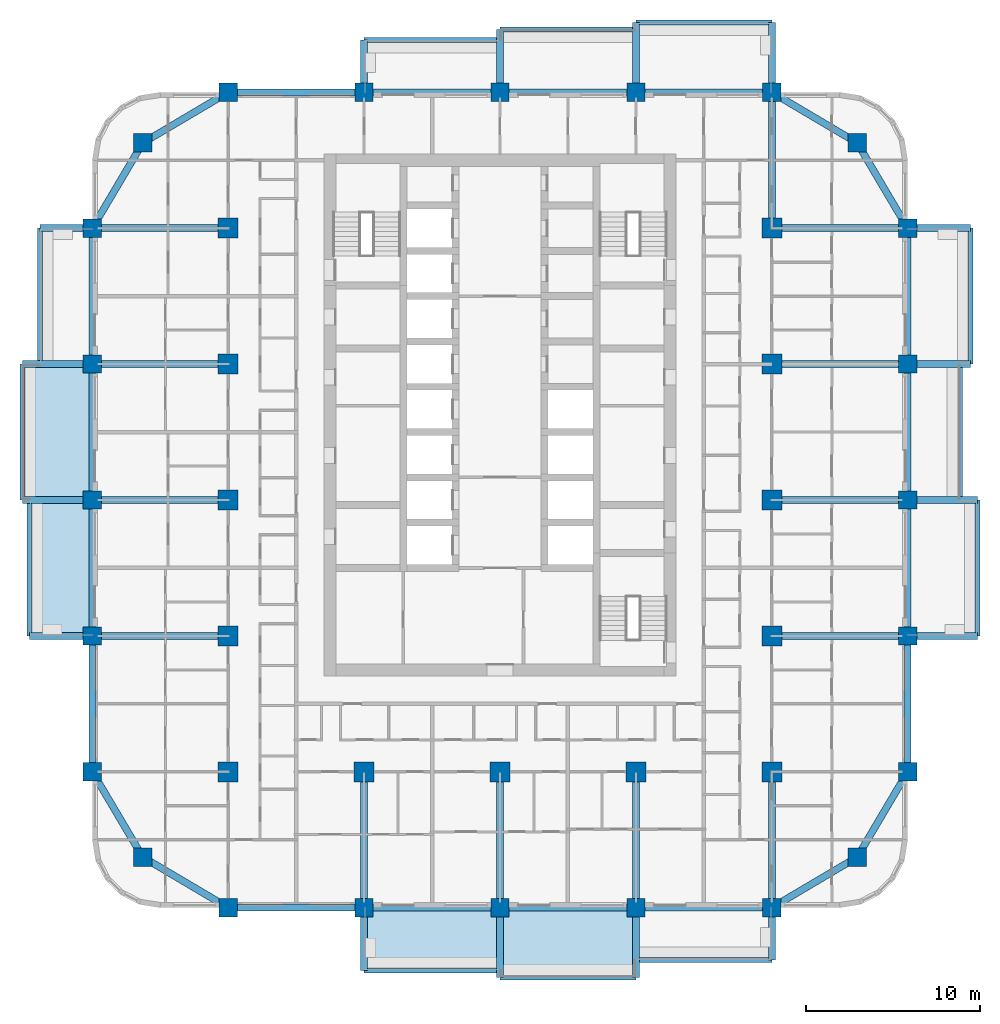
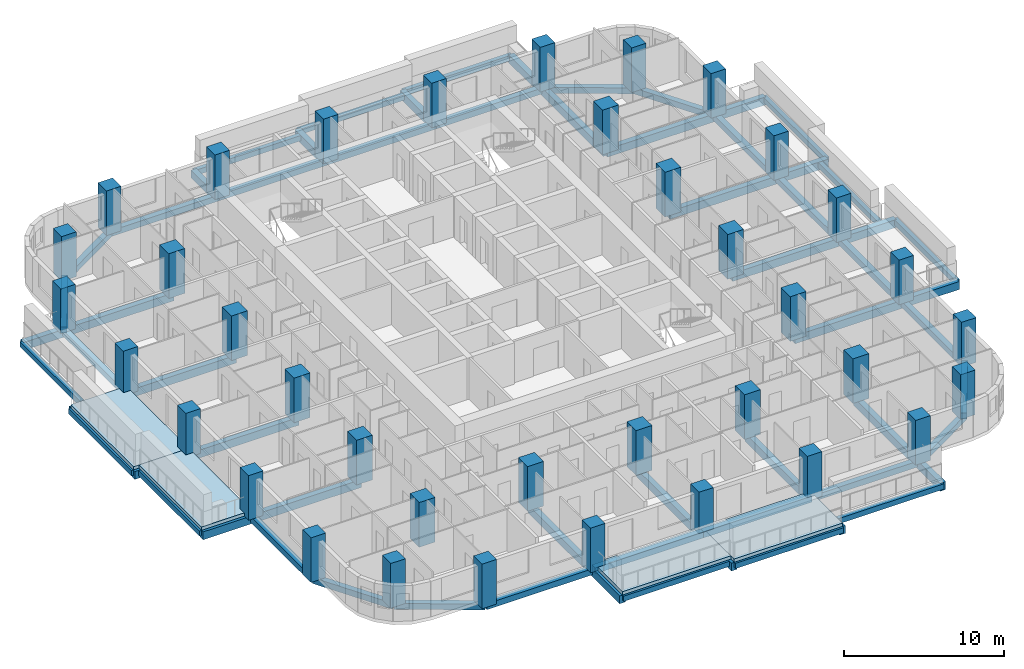
# One storey, part 1 of 17: 65 beams, 37 columns, 4 slabs.
"""IFC4 building model written with IfcOpenShell, lengths in metres."""

import ifcopenshell
import ifcopenshell.guid

model = None  # the IFC model being written
_history = None  # IfcOwnerHistory: only IFC2X3 demands one
_inside = {}  # id of a spatial element -> (the spatial element, [elements in it])
_under = {}  # id of a project, library or spatial element -> (it, [spatial elements below it])
_declared = {}  # id of a project -> (the project, [libraries it declares])
_typed = {}  # id of a type object -> (the type object, [elements of that type])
_made_of = {}  # id of a material, layer set ... -> (it, [elements and type objects made of it])


def new_model(schema):
    """Start an empty IFC model of exactly this schema.

    Asked for "IFC4X3", IfcOpenShell would pick the latest addendum, in which some entities
    have other attributes; the version numbers below select the first issue.
    IFC2X3 requires an IfcOwnerHistory on every rooted entity: one is made here for all.
    """
    global model, _history
    if schema == "IFC4X3":
        model = ifcopenshell.file(schema_version=(4, 3, 0, 0))
    else:
        model = ifcopenshell.file(schema=schema)
    _inside.clear()
    _under.clear()
    _declared.clear()
    _typed.clear()
    _made_of.clear()
    _history = None
    if model.schema == "IFC2X3":
        org = make("IfcOrganization", Name="unknown")
        user = make(
            "IfcPersonAndOrganization",
            ThePerson=make("IfcPerson", FamilyName="unknown"),
            TheOrganization=org,
        )
        app = make(
            "IfcApplication",
            ApplicationDeveloper=org,
            Version="unknown",
            ApplicationFullName="unknown",
            ApplicationIdentifier="unknown",
        )
        _history = make(
            "IfcOwnerHistory",
            OwningUser=user,
            OwningApplication=app,
            ChangeAction="ADDED",
            CreationDate=0,
        )
    return model


def make(cls, **values):
    """One entity of the class cls with the attributes given. An attribute that is None is left unset."""
    return model.create_entity(
        cls, **{name: value for name, value in values.items() if value is not None}
    )


def rooted(cls, **values):
    """An entity with a GlobalId (a new one), such as an element, a storey or a relation."""
    return make(cls, GlobalId=ifcopenshell.guid.new(), OwnerHistory=_history, **values)


def si_unit(unit_type, name, prefix=None):
    """IfcSIUnit, for example si_unit("LENGTHUNIT", "METRE", prefix="MILLI")."""
    return make("IfcSIUnit", UnitType=unit_type, Prefix=prefix, Name=name)


def assignment(units):
    """IfcUnitAssignment: the units of a project."""
    return None if units is None else make("IfcUnitAssignment", Units=units)


def point(xyz):
    """IfcCartesianPoint."""
    return None if xyz is None else make("IfcCartesianPoint", Coordinates=xyz)


def direction(xyz):
    """IfcDirection."""
    return None if xyz is None else make("IfcDirection", DirectionRatios=xyz)


def frame(location, z_axis=None, x_axis=None):
    """IfcAxis2Placement3D, a coordinate frame: its origin and axes. An axis left out is left unset."""
    return make(
        "IfcAxis2Placement3D",
        Location=point(location),
        Axis=direction(z_axis),
        RefDirection=direction(x_axis),
    )


def frame_2d(location, x_axis=None):
    """IfcAxis2Placement2D, a coordinate frame in the plane: its origin and x axis."""
    return make(
        "IfcAxis2Placement2D", Location=point(location), RefDirection=direction(x_axis)
    )


def origin():
    """The frame at (0, 0, 0) with its axes left unset."""
    return frame((0.0, 0.0, 0.0))


def origin_2d():
    """The frame at (0, 0) in the plane with its x axis left unset."""
    return frame_2d((0.0, 0.0))


def place(relative_to, where):
    """IfcLocalPlacement: puts the frame where relative to a parent placement (None: the world)."""
    return make(
        "IfcLocalPlacement", PlacementRelTo=relative_to, RelativePlacement=where
    )


def context(
    kind, dimensions, precision=None, world=None, true_north=None, identifier=None
):
    """IfcGeometricRepresentationContext, for example the 3D "Model" context."""
    return make(
        "IfcGeometricRepresentationContext",
        ContextIdentifier=identifier,
        ContextType=kind,
        CoordinateSpaceDimension=dimensions,
        Precision=precision,
        WorldCoordinateSystem=world,
        TrueNorth=true_north,
    )


def subcontext(parent, identifier, kind, view, scale=None):
    """IfcGeometricRepresentationSubContext, for example "Body" below "Model"."""
    return make(
        "IfcGeometricRepresentationSubContext",
        ContextIdentifier=identifier,
        ContextType=kind,
        ParentContext=parent,
        TargetScale=scale,
        TargetView=view,
    )


def project(units=None, contexts=None):
    """IfcProject with its units and contexts."""
    return rooted(
        "IfcProject",
        Name="project",
        RepresentationContexts=contexts,
        UnitsInContext=assignment(units),
    )


def spatial(cls, under=None, at=None, **own):
    """A site, building, storey or space (cls), placed at a placement, below another one or the project."""
    s = rooted(cls, ObjectPlacement=at, **own)
    if under is not None:
        _under.setdefault(under.id(), (under, []))[1].append(s)
    return s


def polyline(points):
    """IfcPolyline through the points."""
    return make("IfcPolyline", Points=[point(p) for p in points])


def profile(cls, at=None, kind="AREA", **sizes):
    """A parametric profile (cls). Its sizes go by their IFC names, for example OverallWidth=200.0."""
    return make(cls, ProfileType=kind, Position=at, **sizes)


def rectangle(**sizes):
    """IfcRectangleProfileDef."""
    return profile("IfcRectangleProfileDef", **sizes)


def outline(outer, holes=None, kind="AREA"):
    """IfcArbitraryClosedProfileDef: a profile drawn as a closed curve; with holes, ...WithVoids."""
    if holes is None:
        return make("IfcArbitraryClosedProfileDef", ProfileType=kind, OuterCurve=outer)
    return make(
        "IfcArbitraryProfileDefWithVoids",
        ProfileType=kind,
        OuterCurve=outer,
        InnerCurves=holes,
    )


def extrude(swept, where, along, depth):
    """IfcExtrudedAreaSolid: the profile swept, set in the frame where, extruded along a direction by depth."""
    return make(
        "IfcExtrudedAreaSolid",
        SweptArea=swept,
        Position=where,
        ExtrudedDirection=direction(along),
        Depth=depth,
    )


def shape(context_of_items, identifier, shape_type, items):
    """IfcShapeRepresentation: the items that make up one representation, for example the "Body"."""
    return make(
        "IfcShapeRepresentation",
        ContextOfItems=context_of_items,
        RepresentationIdentifier=identifier,
        RepresentationType=shape_type,
        Items=items,
    )


def material(Name=None, Category=None):
    """IfcMaterial."""
    return make("IfcMaterial", Name=Name, Category=Category)


def layer(
    of_material, thickness, ventilated=None, Name=None, Category=None, Priority=None
):
    """IfcMaterialLayer: one layer of a wall or slab, of a material (None: an air gap)."""
    return make(
        "IfcMaterialLayer",
        Material=of_material,
        LayerThickness=thickness,
        IsVentilated=ventilated,
        Name=Name,
        Category=Category,
        Priority=Priority,
    )


def layer_set(layers, Name=None):
    """IfcMaterialLayerSet."""
    return make("IfcMaterialLayerSet", MaterialLayers=layers, LayerSetName=Name)


def material_profile(
    of_material, cross_section, Name=None, Category=None, Priority=None
):
    """IfcMaterialProfile: a cross section and its material."""
    return make(
        "IfcMaterialProfile",
        Name=Name,
        Material=of_material,
        Profile=cross_section,
        Priority=Priority,
        Category=Category,
    )


def profile_set(profiles, Name=None, composite=None):
    """IfcMaterialProfileSet."""
    return make(
        "IfcMaterialProfileSet",
        Name=Name,
        MaterialProfiles=profiles,
        CompositeProfile=composite,
    )


def made_of(thing, what):
    """Note that an element or type object is made of a material, layer set ...; save() writes the relation."""
    if what is not None:
        _made_of.setdefault(what.id(), (what, []))[1].append(thing)
    return thing


def type_object(cls, material=None, **own):
    """A type object (cls), such as IfcWallType, which elements share."""
    return made_of(rooted(cls, **own), material)


def element(
    cls,
    number,
    at=None,
    inside=None,
    cuts=None,
    type_object=None,
    material=None,
    context=None,
    identifier="Body",
    shape_type=None,
    held_by="IfcProductDefinitionShape",
    body=None,
    shapes=None,
    **own,
):
    """One element of the class cls, such as IfcWall. Its Tag is "e" and its number.

    at: its placement. inside: the storey or other place that contains it. cuts: it is an
    opening in that element (IfcRelVoidsElement). A single representation is given by context,
    identifier, shape_type and body (its items); several are given by shapes. held_by: the class
    of the entity that holds the representations. save() writes the other relations.
    """
    e = rooted(cls, Tag="e%d" % number, ObjectPlacement=at, **own)
    if body is not None:
        shapes = [shape(context, identifier, shape_type, body)]
    if shapes is not None:
        e.Representation = make(held_by, Representations=shapes)
    if inside is not None:
        _inside.setdefault(inside.id(), (inside, []))[1].append(e)
    if cuts is not None:
        rooted(
            "IfcRelVoidsElement", RelatingBuildingElement=cuts, RelatedOpeningElement=e
        )
    if type_object is not None:
        _typed.setdefault(type_object.id(), (type_object, []))[1].append(e)
    return made_of(e, material)


def aggregate(whole, parts):
    """IfcRelAggregates: a whole, such as a stair, and the parts it consists of."""
    return rooted("IfcRelAggregates", RelatingObject=whole, RelatedObjects=parts)


def save(model, path):
    """Write the relations noted so far, then the file.

    IfcRelAggregates (storeys below a building ...), IfcRelContainedInSpatialStructure (elements
    in a storey), IfcRelDefinesByType, IfcRelAssociatesMaterial and IfcRelDeclares: one each for
    every whole, place, type object, material and project.
    """
    for whole, parts in _under.values():
        aggregate(whole, parts)
    for where, things in _inside.values():
        rooted(
            "IfcRelContainedInSpatialStructure",
            RelatedElements=things,
            RelatingStructure=where,
        )
    for kind, things in _typed.values():
        rooted("IfcRelDefinesByType", RelatedObjects=things, RelatingType=kind)
    for what, things in _made_of.values():
        rooted("IfcRelAssociatesMaterial", RelatedObjects=things, RelatingMaterial=what)
    for by, libraries in _declared.values():
        rooted("IfcRelDeclares", RelatingContext=by, RelatedDefinitions=libraries)
    model.write(path)


model = new_model("IFC4")

# Units and contexts
model_context = context("Model", 3, precision=1e-05, world=origin(), true_north=direction((0.0, 1.0)))
body_context = subcontext(model_context, "Body", "Model", "MODEL_VIEW")
ifc_project = project(units=[si_unit("LENGTHUNIT", "METRE"), si_unit("AREAUNIT", "SQUARE_METRE"), si_unit("VOLUMEUNIT", "CUBIC_METRE"), si_unit("PLANEANGLEUNIT", "RADIAN"), si_unit("MASSUNIT", "GRAM", prefix="KILO")], contexts=[model_context])

# Site, building, storey
site_placement = place(None, origin())
site = spatial("IfcSite", under=ifc_project, at=site_placement, CompositionType="ELEMENT")
building_placement = place(site_placement, origin())
building = spatial("IfcBuilding", under=site, at=building_placement, Name="Ludao Terraces", CompositionType="ELEMENT")
storey_placement = place(building_placement, frame((0.0, 0.0, 39.89990234375)))
storey = spatial("IfcBuildingStorey", under=building, at=storey_placement, Name="L10", CompositionType="ELEMENT", Elevation=39.89990234375)

# Columns
ifc_material_1 = material(Name="Concrete C60", Category="concrete")
ifc_material_profile_1 = material_profile(ifc_material_1, rectangle(XDim=1.050048828125, YDim=1.050048828125, at=origin_2d()), Name="1050 X 1050")
ifc_profile_set_1 = profile_set([ifc_material_profile_1], Name="Concrete C60")
column_type_1 = type_object("IfcColumnType", Name="RC column 1050x1050 C60", PredefinedType="COLUMN", material=ifc_profile_set_1)
for number, where, z_axis, x_axis, name in (
    (1, (64.5, 44.5, -0.25), (0.0, 0.0, 1.0), (1.0, 0.0, 0.0), "Column L10 C0029x0029"),
    (2, (105.5, 44.5, -0.25), (0.0, 0.0, 1.0), (1.0, 0.0, 0.0), "Column L10 C0439x0029"),
    (3, (64.5, 85.5, -0.25), (0.0, 0.0, 1.0), (1.0, 0.0, 0.0), "Column L10 C0029x0439"),
    (4, (105.5, 85.5, -0.25), (0.0, 0.0, 1.0), (1.0, 0.0, 0.0), "Column L10 C0439x0439"),
    (5, (61.60009765625, 49.39990234375, -0.25), (0.0, 0.0, 1.0), (1.0, 0.0, 0.0), "Column L10 F0000x0078"),
    (6, (108.39990234375, 49.39990234375, -0.25), (0.0, 0.0, 1.0), (1.0, 0.0, 0.0), "Column L10 F0468x0078"),
    (7, (69.39990234375, 41.60009765625, -0.25), (0.0, 0.0, 1.0), (1.0, 0.0, 0.0), "Column L10 F0078x0000"),
    (8, (69.39990234375, 88.39990234375, -0.25), (0.0, 0.0, 1.0), (1.0, 0.0, 0.0), "Column L10 F0078x0468"),
    (9, (61.60009765625, 57.199951171875, -0.25), (0.0, 0.0, 1.0), (1.0, 0.0, 0.0), "Column L10 F0000x0156"),
    (10, (108.39990234375, 57.199951171875, -0.25), (0.0, 0.0, 1.0), (1.0, 0.0, 0.0), "Column L10 F0468x0156"),
    (11, (77.199951171875, 41.60009765625, -0.25), (0.0, 0.0, 1.0), (1.0, 0.0, 0.0), "Column L10 F0156x0000"),
    (12, (77.199951171875, 88.39990234375, -0.25), (0.0, 0.0, 1.0), (1.0, 0.0, 0.0), "Column L10 F0156x0468"),
    (13, (61.60009765625, 65.0, -0.25), (0.0, 0.0, 1.0), (1.0, 0.0, 0.0), "Column L10 F0000x0234"),
    (14, (108.39990234375, 65.0, -0.25), (0.0, 0.0, 1.0), (1.0, 0.0, 0.0), "Column L10 F0468x0234"),
    (15, (85.0, 41.60009765625, -0.25), (0.0, 0.0, 1.0), (1.0, 0.0, 0.0), "Column L10 F0234x0000"),
    (16, (85.0, 88.39990234375, -0.25), (0.0, 0.0, 1.0), (1.0, 0.0, 0.0), "Column L10 F0234x0468"),
    (17, (61.60009765625, 72.800048828125, -0.25), (0.0, 0.0, 1.0), (1.0, 0.0, 0.0), "Column L10 F0000x0312"),
    (18, (108.39990234375, 72.800048828125, -0.25), (0.0, 0.0, 1.0), (1.0, 0.0, 0.0), "Column L10 F0468x0312"),
    (19, (92.800048828125, 41.60009765625, -0.25), (0.0, 0.0, 1.0), (1.0, 0.0, 0.0), "Column L10 F0312x0000"),
    (20, (92.800048828125, 88.39990234375, -0.25), (0.0, 0.0, 1.0), (1.0, 0.0, 0.0), "Column L10 F0312x0468"),
    (21, (61.60009765625, 80.60009765625, -0.25), (0.0, 0.0, 1.0), (1.0, 0.0, 0.0), "Column L10 F0000x0390"),
    (22, (108.39990234375, 80.60009765625, -0.25), (0.0, 0.0, 1.0), (1.0, 0.0, 0.0), "Column L10 F0468x0390"),
    (23, (100.60009765625, 41.60009765625, -0.25), (0.0, 0.0, 1.0), (1.0, 0.0, 0.0), "Column L10 F0390x0000"),
    (24, (100.60009765625, 88.39990234375, -0.25), (0.0, 0.0, 1.0), (1.0, 0.0, 0.0), "Column L10 F0390x0468"),
):
    element("IfcColumn", number, at=place(storey_placement, frame(where, z_axis=z_axis, x_axis=x_axis)), inside=storey, type_object=column_type_1, Name=name, PredefinedType="COLUMN", context=body_context, shape_type="SweptSolid", body=[
        extrude(rectangle(XDim=1.050048828125, YDim=1.050048828125, at=origin_2d()), origin(), (0.0, 0.0, 1.0), 3.400146484375),
    ])
ifc_material_profile_2 = material_profile(ifc_material_1, rectangle(XDim=1.14990234375, YDim=1.14990234375, at=origin_2d()), Name="1150 X 1150")
ifc_profile_set_2 = profile_set([ifc_material_profile_2], Name="Concrete C60")
column_type_2 = type_object("IfcColumnType", Name="RC column 1150x1150 C60", PredefinedType="COLUMN", material=ifc_profile_set_2)
for number, where, z_axis, x_axis, name in (
    (25, (69.39990234375, 49.39990234375, -0.25), (0.0, 0.0, 1.0), (1.0, 0.0, 0.0), "Column L10 S0078x0078"),
    (26, (69.39990234375, 57.199951171875, -0.25), (0.0, 0.0, 1.0), (1.0, 0.0, 0.0), "Column L10 S0078x0156"),
    (27, (69.39990234375, 65.0, -0.25), (0.0, 0.0, 1.0), (1.0, 0.0, 0.0), "Column L10 S0078x0234"),
    (28, (69.39990234375, 72.800048828125, -0.25), (0.0, 0.0, 1.0), (1.0, 0.0, 0.0), "Column L10 S0078x0312"),
    (29, (69.39990234375, 80.60009765625, -0.25), (0.0, 0.0, 1.0), (1.0, 0.0, 0.0), "Column L10 S0078x0390"),
    (30, (77.199951171875, 49.39990234375, -0.25), (0.0, 0.0, 1.0), (1.0, 0.0, 0.0), "Column L10 S0156x0078"),
    (31, (85.0, 49.39990234375, -0.25), (0.0, 0.0, 1.0), (1.0, 0.0, 0.0), "Column L10 S0234x0078"),
    (32, (92.800048828125, 49.39990234375, -0.25), (0.0, 0.0, 1.0), (1.0, 0.0, 0.0), "Column L10 S0312x0078"),
    (33, (100.60009765625, 49.39990234375, -0.25), (0.0, 0.0, 1.0), (1.0, 0.0, 0.0), "Column L10 S0390x0078"),
    (34, (100.60009765625, 57.199951171875, -0.25), (0.0, 0.0, 1.0), (1.0, 0.0, 0.0), "Column L10 S0390x0156"),
    (35, (100.60009765625, 65.0, -0.25), (0.0, 0.0, 1.0), (1.0, 0.0, 0.0), "Column L10 S0390x0234"),
    (36, (100.60009765625, 72.800048828125, -0.25), (0.0, 0.0, 1.0), (1.0, 0.0, 0.0), "Column L10 S0390x0312"),
    (37, (100.60009765625, 80.60009765625, -0.25), (0.0, 0.0, 1.0), (1.0, 0.0, 0.0), "Column L10 S0390x0390"),
):
    element("IfcColumn", number, at=place(storey_placement, frame(where, z_axis=z_axis, x_axis=x_axis)), inside=storey, type_object=column_type_2, Name=name, PredefinedType="COLUMN", context=body_context, shape_type="SweptSolid", body=[
        extrude(rectangle(XDim=1.14990234375, YDim=1.14990234375, at=origin_2d()), origin(), (0.0, 0.0, 1.0), 3.400146484375),
    ])

# Beams
ifc_material_2 = material(Name="Concrete C40", Category="concrete")
ifc_material_profile_3 = material_profile(ifc_material_2, rectangle(XDim=0.300048828125, YDim=0.39990234375, at=origin_2d()), Name="300 X 400")
ifc_profile_set_3 = profile_set([ifc_material_profile_3], Name="Concrete C40")
beam_type_1 = type_object("IfcBeamType", Name="RC beam 300x400 C40", PredefinedType="BEAM", material=ifc_profile_set_3)
for number, where, z_axis, x_axis, name in (
    (38, (77.199951171875, 38.0, -0.449951171875), (1.0, 0.0, 0.0), (0.0, 1.0, 0.0), "Balcony edge beam L10 S2"),
    (39, (85.0, 37.60009765625, -0.449951171875), (1.0, 0.0, 0.0), (0.0, 1.0, 0.0), "Balcony edge beam L10 S3"),
    (40, (92.800048828125, 38.60009765625, -0.449951171875), (1.0, 0.0, 0.0), (0.0, 1.0, 0.0), "Balcony edge beam L10 S4"),
    (41, (112.39990234375, 57.199951171875, -0.449951171875), (0.0, 1.0, 0.0), (-1.0, 0.0, 0.0), "Balcony edge beam L10 E2"),
    (42, (111.39990234375, 65.0, -0.449951171875), (0.0, 1.0, 0.0), (-1.0, 0.0, 0.0), "Balcony edge beam L10 E3"),
    (43, (112.0, 72.800048828125, -0.449951171875), (0.0, 1.0, 0.0), (-1.0, 0.0, 0.0), "Balcony edge beam L10 E4"),
    (44, (77.199951171875, 91.39990234375, -0.449951171875), (1.0, 0.0, 0.0), (0.0, 1.0, 0.0), "Balcony edge beam L10 N2"),
    (45, (85.0, 92.0, -0.449951171875), (1.0, 0.0, 0.0), (0.0, 1.0, 0.0), "Balcony edge beam L10 N3"),
    (46, (92.800048828125, 92.39990234375, -0.449951171875), (1.0, 0.0, 0.0), (0.0, 1.0, 0.0), "Balcony edge beam L10 N4"),
    (47, (58.0, 57.199951171875, -0.449951171875), (0.0, 1.0, 0.0), (-1.0, 0.0, 0.0), "Balcony edge beam L10 W2"),
    (48, (57.60009765625, 65.0, -0.449951171875), (0.0, 1.0, 0.0), (-1.0, 0.0, 0.0), "Balcony edge beam L10 W3"),
    (49, (58.60009765625, 72.800048828125, -0.449951171875), (0.0, 1.0, 0.0), (-1.0, 0.0, 0.0), "Balcony edge beam L10 W4"),
):
    element("IfcBeam", number, at=place(storey_placement, frame(where, z_axis=z_axis, x_axis=x_axis)), inside=storey, type_object=beam_type_1, Name=name, PredefinedType="BEAM", context=body_context, shape_type="SweptSolid", body=[
        extrude(rectangle(XDim=0.300048828125, YDim=0.39990234375, at=origin_2d()), origin(), (0.0, 0.0, 1.0), 7.800048828125),
    ])
ifc_material_profile_4 = material_profile(ifc_material_2, rectangle(XDim=0.39990234375, YDim=0.449951171875, at=origin_2d()), Name="400 X 450")
ifc_profile_set_4 = profile_set([ifc_material_profile_4], Name="Concrete C40")
beam_type_2 = type_object("IfcBeamType", Name="RC beam 400x450 C40", PredefinedType="BEAM", material=ifc_profile_set_4)
beam_1_placement = place(storey_placement, frame((64.5, 44.5, -0.474853515625), z_axis=(0.860579751256, -0.509315709288, 0.0), x_axis=(0.509315709288, 0.860579751256, 0.0)))
element("IfcBeam", 50, at=beam_1_placement, inside=storey, type_object=beam_type_2, Name="Spandrel beam L10 S1", PredefinedType="BEAM", context=body_context, shape_type="SweptSolid", body=[
    extrude(rectangle(XDim=0.39990234375, YDim=0.449951171875, at=origin_2d()), origin(), (0.0, 0.0, 1.0), 5.693603515625),
])
for number, where, z_axis, x_axis, name in (
    (51, (69.39990234375, 41.60009765625, -0.474853515625), (1.0, 0.0, 0.0), (0.0, 1.0, 0.0), "Spandrel beam L10 S2"),
    (52, (77.199951171875, 41.60009765625, -0.474853515625), (1.0, 0.0, 0.0), (0.0, 1.0, 0.0), "Spandrel beam L10 S3"),
    (53, (85.0, 41.60009765625, -0.474853515625), (1.0, 0.0, 0.0), (0.0, 1.0, 0.0), "Spandrel beam L10 S4"),
    (54, (92.800048828125, 41.60009765625, -0.474853515625), (1.0, 0.0, 0.0), (0.0, 1.0, 0.0), "Spandrel beam L10 S5"),
):
    element("IfcBeam", number, at=place(storey_placement, frame(where, z_axis=z_axis, x_axis=x_axis)), inside=storey, type_object=beam_type_2, Name=name, PredefinedType="BEAM", context=body_context, shape_type="SweptSolid", body=[
        extrude(rectangle(XDim=0.39990234375, YDim=0.449951171875, at=origin_2d()), origin(), (0.0, 0.0, 1.0), 7.800048828125),
    ])
for number, where, z_axis, x_axis, name in (
    (55, (100.60009765625, 41.60009765625, -0.474853515625), (0.860579751256, 0.509315709288, 0.0), (-0.509315709288, 0.860579751256, 0.0), "Spandrel beam L10 S6"),
    (56, (64.5, 85.5, -0.474853515625), (0.860579751256, 0.509315709288, 0.0), (-0.509315709288, 0.860579751256, 0.0), "Spandrel beam L10 N7"),
):
    element("IfcBeam", number, at=place(storey_placement, frame(where, z_axis=z_axis, x_axis=x_axis)), inside=storey, type_object=beam_type_2, Name=name, PredefinedType="BEAM", context=body_context, shape_type="SweptSolid", body=[
        extrude(rectangle(XDim=0.39990234375, YDim=0.449951171875, at=origin_2d()), origin(), (0.0, 0.0, 1.0), 5.693603515625),
    ])
for number, where, z_axis, x_axis, name in (
    (57, (69.39990234375, 88.39990234375, -0.474853515625), (1.0, 0.0, 0.0), (0.0, 1.0, 0.0), "Spandrel beam L10 N8"),
    (58, (77.199951171875, 88.39990234375, -0.474853515625), (1.0, 0.0, 0.0), (0.0, 1.0, 0.0), "Spandrel beam L10 N9"),
    (59, (85.0, 88.39990234375, -0.474853515625), (1.0, 0.0, 0.0), (0.0, 1.0, 0.0), "Spandrel beam L10 N10"),
    (60, (92.800048828125, 88.39990234375, -0.474853515625), (1.0, 0.0, 0.0), (0.0, 1.0, 0.0), "Spandrel beam L10 N11"),
):
    element("IfcBeam", number, at=place(storey_placement, frame(where, z_axis=z_axis, x_axis=x_axis)), inside=storey, type_object=beam_type_2, Name=name, PredefinedType="BEAM", context=body_context, shape_type="SweptSolid", body=[
        extrude(rectangle(XDim=0.39990234375, YDim=0.449951171875, at=origin_2d()), origin(), (0.0, 0.0, 1.0), 7.800048828125),
    ])
for number, where, z_axis, x_axis, name in (
    (61, (100.60009765625, 88.39990234375, -0.474853515625), (0.860579751256, -0.509315709288, 0.0), (0.509315709288, 0.860579751256, 0.0), "Spandrel beam L10 N12"),
    (62, (64.5, 44.5, -0.474853515625), (-0.509315709288, 0.860579751256, 0.0), (-0.860579751256, -0.509315709288, 0.0), "Spandrel beam L10 W13"),
):
    element("IfcBeam", number, at=place(storey_placement, frame(where, z_axis=z_axis, x_axis=x_axis)), inside=storey, type_object=beam_type_2, Name=name, PredefinedType="BEAM", context=body_context, shape_type="SweptSolid", body=[
        extrude(rectangle(XDim=0.39990234375, YDim=0.449951171875, at=origin_2d()), origin(), (0.0, 0.0, 1.0), 5.693603515625),
    ])
for number, where, z_axis, x_axis, name in (
    (63, (61.60009765625, 49.39990234375, -0.474853515625), (0.0, 1.0, 0.0), (-1.0, 0.0, 0.0), "Spandrel beam L10 W14"),
    (64, (61.60009765625, 57.199951171875, -0.474853515625), (0.0, 1.0, 0.0), (-1.0, 0.0, 0.0), "Spandrel beam L10 W15"),
    (65, (61.60009765625, 65.0, -0.474853515625), (0.0, 1.0, 0.0), (-1.0, 0.0, 0.0), "Spandrel beam L10 W16"),
    (66, (61.60009765625, 72.800048828125, -0.474853515625), (0.0, 1.0, 0.0), (-1.0, 0.0, 0.0), "Spandrel beam L10 W17"),
):
    element("IfcBeam", number, at=place(storey_placement, frame(where, z_axis=z_axis, x_axis=x_axis)), inside=storey, type_object=beam_type_2, Name=name, PredefinedType="BEAM", context=body_context, shape_type="SweptSolid", body=[
        extrude(rectangle(XDim=0.39990234375, YDim=0.449951171875, at=origin_2d()), origin(), (0.0, 0.0, 1.0), 7.800048828125),
    ])
for number, where, z_axis, x_axis, name in (
    (67, (61.60009765625, 80.60009765625, -0.474853515625), (0.509315709288, 0.860579751256, 0.0), (-0.860579751256, 0.509315709288, 0.0), "Spandrel beam L10 W18"),
    (68, (105.5, 44.5, -0.474853515625), (0.509315709288, 0.860579751256, 0.0), (-0.860579751256, 0.509315709288, 0.0), "Spandrel beam L10 E19"),
):
    element("IfcBeam", number, at=place(storey_placement, frame(where, z_axis=z_axis, x_axis=x_axis)), inside=storey, type_object=beam_type_2, Name=name, PredefinedType="BEAM", context=body_context, shape_type="SweptSolid", body=[
        extrude(rectangle(XDim=0.39990234375, YDim=0.449951171875, at=origin_2d()), origin(), (0.0, 0.0, 1.0), 5.693603515625),
    ])
for number, where, z_axis, x_axis, name in (
    (69, (108.39990234375, 49.39990234375, -0.474853515625), (0.0, 1.0, 0.0), (-1.0, 0.0, 0.0), "Spandrel beam L10 E20"),
    (70, (108.39990234375, 57.199951171875, -0.474853515625), (0.0, 1.0, 0.0), (-1.0, 0.0, 0.0), "Spandrel beam L10 E21"),
    (71, (108.39990234375, 65.0, -0.474853515625), (0.0, 1.0, 0.0), (-1.0, 0.0, 0.0), "Spandrel beam L10 E22"),
    (72, (108.39990234375, 72.800048828125, -0.474853515625), (0.0, 1.0, 0.0), (-1.0, 0.0, 0.0), "Spandrel beam L10 E23"),
):
    element("IfcBeam", number, at=place(storey_placement, frame(where, z_axis=z_axis, x_axis=x_axis)), inside=storey, type_object=beam_type_2, Name=name, PredefinedType="BEAM", context=body_context, shape_type="SweptSolid", body=[
        extrude(rectangle(XDim=0.39990234375, YDim=0.449951171875, at=origin_2d()), origin(), (0.0, 0.0, 1.0), 7.800048828125),
    ])
beam_2_placement = place(storey_placement, frame((108.39990234375, 80.60009765625, -0.474853515625), z_axis=(-0.509315709288, 0.860579751256, 0.0), x_axis=(-0.860579751256, -0.509315709288, 0.0)))
element("IfcBeam", 73, at=beam_2_placement, inside=storey, type_object=beam_type_2, Name="Spandrel beam L10 E24", PredefinedType="BEAM", context=body_context, shape_type="SweptSolid", body=[
    extrude(rectangle(XDim=0.39990234375, YDim=0.449951171875, at=origin_2d()), origin(), (0.0, 0.0, 1.0), 5.693603515625),
])
ifc_material_profile_5 = material_profile(ifc_material_2, rectangle(XDim=0.39990234375, YDim=0.60009765625, at=origin_2d()), Name="400 X 600")
ifc_profile_set_5 = profile_set([ifc_material_profile_5], Name="Concrete C40")
beam_type_3 = type_object("IfcBeamType", Name="RC beam 400x600 C40", PredefinedType="BEAM", material=ifc_profile_set_5)
beam_3_placement = place(storey_placement, frame((100.60009765625, 57.199951171875, -0.5498046875), z_axis=(1.0, 0.0, 0.0), x_axis=(0.0, 1.0, 0.0)))
element("IfcBeam", 74, at=beam_3_placement, inside=storey, type_object=beam_type_3, Name="Balcony beam L10 E572", PredefinedType="BEAM", context=body_context, shape_type="SweptSolid", body=[
    extrude(rectangle(XDim=0.39990234375, YDim=0.60009765625, at=origin_2d()), origin(), (0.0, 0.0, 1.0), 7.7998046875),
])
beam_4_placement = place(storey_placement, frame((108.39990234375, 57.199951171875, -0.5498046875), z_axis=(1.0, 0.0, 0.0), x_axis=(0.0, 1.0, 0.0)))
element("IfcBeam", 75, at=beam_4_placement, inside=storey, type_object=beam_type_3, Name="Balcony beam L10 E572", PredefinedType="BEAM", context=body_context, shape_type="SweptSolid", body=[
    extrude(rectangle(XDim=0.39990234375, YDim=0.60009765625, at=origin_2d()), origin(), (0.0, 0.0, 1.0), 4.0),
])
beam_5_placement = place(storey_placement, frame((100.60009765625, 65.0, -0.5498046875), z_axis=(1.0, 0.0, 0.0), x_axis=(0.0, 1.0, 0.0)))
element("IfcBeam", 76, at=beam_5_placement, inside=storey, type_object=beam_type_3, Name="Balcony beam L10 E650", PredefinedType="BEAM", context=body_context, shape_type="SweptSolid", body=[
    extrude(rectangle(XDim=0.39990234375, YDim=0.60009765625, at=origin_2d()), origin(), (0.0, 0.0, 1.0), 7.7998046875),
])
beam_6_placement = place(storey_placement, frame((108.39990234375, 65.0, -0.5498046875), z_axis=(1.0, 0.0, 0.0), x_axis=(0.0, 1.0, 0.0)))
element("IfcBeam", 77, at=beam_6_placement, inside=storey, type_object=beam_type_3, Name="Balcony beam L10 E650", PredefinedType="BEAM", context=body_context, shape_type="SweptSolid", body=[
    extrude(rectangle(XDim=0.39990234375, YDim=0.60009765625, at=origin_2d()), origin(), (0.0, 0.0, 1.0), 4.0),
])
beam_7_placement = place(storey_placement, frame((100.60009765625, 72.800048828125, -0.5498046875), z_axis=(1.0, 0.0, 0.0), x_axis=(0.0, 1.0, 0.0)))
element("IfcBeam", 78, at=beam_7_placement, inside=storey, type_object=beam_type_3, Name="Balcony beam L10 E728", PredefinedType="BEAM", context=body_context, shape_type="SweptSolid", body=[
    extrude(rectangle(XDim=0.39990234375, YDim=0.60009765625, at=origin_2d()), origin(), (0.0, 0.0, 1.0), 7.7998046875),
])
beam_8_placement = place(storey_placement, frame((108.39990234375, 72.800048828125, -0.5498046875), z_axis=(1.0, 0.0, 0.0), x_axis=(0.0, 1.0, 0.0)))
element("IfcBeam", 79, at=beam_8_placement, inside=storey, type_object=beam_type_3, Name="Balcony beam L10 E728", PredefinedType="BEAM", context=body_context, shape_type="SweptSolid", body=[
    extrude(rectangle(XDim=0.39990234375, YDim=0.60009765625, at=origin_2d()), origin(), (0.0, 0.0, 1.0), 3.60009765625),
])
beam_9_placement = place(storey_placement, frame((100.60009765625, 80.60009765625, -0.5498046875), z_axis=(1.0, 0.0, 0.0), x_axis=(0.0, 1.0, 0.0)))
element("IfcBeam", 80, at=beam_9_placement, inside=storey, type_object=beam_type_3, Name="Balcony beam L10 E806", PredefinedType="BEAM", context=body_context, shape_type="SweptSolid", body=[
    extrude(rectangle(XDim=0.39990234375, YDim=0.60009765625, at=origin_2d()), origin(), (0.0, 0.0, 1.0), 7.7998046875),
])
beam_10_placement = place(storey_placement, frame((108.39990234375, 80.60009765625, -0.5498046875), z_axis=(1.0, 0.0, 0.0), x_axis=(0.0, 1.0, 0.0)))
element("IfcBeam", 81, at=beam_10_placement, inside=storey, type_object=beam_type_3, Name="Balcony beam L10 E806", PredefinedType="BEAM", context=body_context, shape_type="SweptSolid", body=[
    extrude(rectangle(XDim=0.39990234375, YDim=0.60009765625, at=origin_2d()), origin(), (0.0, 0.0, 1.0), 3.60009765625),
])
beam_11_placement = place(storey_placement, frame((100.60009765625, 80.60009765625, -0.5498046875), z_axis=(0.0, 1.0, 0.0), x_axis=(-1.0, 0.0, 0.0)))
element("IfcBeam", 82, at=beam_11_placement, inside=storey, type_object=beam_type_3, Name="Balcony beam L10 N1006", PredefinedType="BEAM", context=body_context, shape_type="SweptSolid", body=[
    extrude(rectangle(XDim=0.39990234375, YDim=0.60009765625, at=origin_2d()), origin(), (0.0, 0.0, 1.0), 7.7998046875),
])
beam_12_placement = place(storey_placement, frame((100.60009765625, 88.39990234375, -0.5498046875), z_axis=(0.0, 1.0, 0.0), x_axis=(-1.0, 0.0, 0.0)))
element("IfcBeam", 83, at=beam_12_placement, inside=storey, type_object=beam_type_3, Name="Balcony beam L10 N1006", PredefinedType="BEAM", context=body_context, shape_type="SweptSolid", body=[
    extrude(rectangle(XDim=0.39990234375, YDim=0.60009765625, at=origin_2d()), origin(), (0.0, 0.0, 1.0), 4.0),
])
beam_13_placement = place(storey_placement, frame((77.199951171875, 88.39990234375, -0.5498046875), z_axis=(0.0, 1.0, 0.0), x_axis=(-1.0, 0.0, 0.0)))
element("IfcBeam", 84, at=beam_13_placement, inside=storey, type_object=beam_type_3, Name="Balcony beam L10 N772", PredefinedType="BEAM", context=body_context, shape_type="SweptSolid", body=[
    extrude(rectangle(XDim=0.39990234375, YDim=0.60009765625, at=origin_2d()), origin(), (0.0, 0.0, 1.0), 3.0),
])
beam_14_placement = place(storey_placement, frame((85.0, 88.39990234375, -0.5498046875), z_axis=(0.0, 1.0, 0.0), x_axis=(-1.0, 0.0, 0.0)))
element("IfcBeam", 85, at=beam_14_placement, inside=storey, type_object=beam_type_3, Name="Balcony beam L10 N850", PredefinedType="BEAM", context=body_context, shape_type="SweptSolid", body=[
    extrude(rectangle(XDim=0.39990234375, YDim=0.60009765625, at=origin_2d()), origin(), (0.0, 0.0, 1.0), 3.60009765625),
])
beam_15_placement = place(storey_placement, frame((92.800048828125, 88.39990234375, -0.5498046875), z_axis=(0.0, 1.0, 0.0), x_axis=(-1.0, 0.0, 0.0)))
element("IfcBeam", 86, at=beam_15_placement, inside=storey, type_object=beam_type_3, Name="Balcony beam L10 N928", PredefinedType="BEAM", context=body_context, shape_type="SweptSolid", body=[
    extrude(rectangle(XDim=0.39990234375, YDim=0.60009765625, at=origin_2d()), origin(), (0.0, 0.0, 1.0), 4.0),
])
beam_16_placement = place(storey_placement, frame((100.60009765625, 49.39990234375, -0.5498046875), z_axis=(0.0, -1.0, 0.0), x_axis=(1.0, 0.0, 0.0)))
element("IfcBeam", 87, at=beam_16_placement, inside=storey, type_object=beam_type_3, Name="Balcony beam L10 S1006", PredefinedType="BEAM", context=body_context, shape_type="SweptSolid", body=[
    extrude(rectangle(XDim=0.39990234375, YDim=0.60009765625, at=origin_2d()), origin(), (0.0, 0.0, 1.0), 7.7998046875),
])
beam_17_placement = place(storey_placement, frame((100.60009765625, 41.60009765625, -0.5498046875), z_axis=(0.0, -1.0, 0.0), x_axis=(1.0, 0.0, 0.0)))
element("IfcBeam", 88, at=beam_17_placement, inside=storey, type_object=beam_type_3, Name="Balcony beam L10 S1006", PredefinedType="BEAM", context=body_context, shape_type="SweptSolid", body=[
    extrude(rectangle(XDim=0.39990234375, YDim=0.60009765625, at=origin_2d()), origin(), (0.0, 0.0, 1.0), 3.0),
])
beam_18_placement = place(storey_placement, frame((77.199951171875, 49.39990234375, -0.5498046875), z_axis=(0.0, -1.0, 0.0), x_axis=(1.0, 0.0, 0.0)))
element("IfcBeam", 89, at=beam_18_placement, inside=storey, type_object=beam_type_3, Name="Balcony beam L10 S772", PredefinedType="BEAM", context=body_context, shape_type="SweptSolid", body=[
    extrude(rectangle(XDim=0.39990234375, YDim=0.60009765625, at=origin_2d()), origin(), (0.0, 0.0, 1.0), 7.7998046875),
])
beam_19_placement = place(storey_placement, frame((77.199951171875, 41.60009765625, -0.5498046875), z_axis=(0.0, -1.0, 0.0), x_axis=(1.0, 0.0, 0.0)))
element("IfcBeam", 90, at=beam_19_placement, inside=storey, type_object=beam_type_3, Name="Balcony beam L10 S772", PredefinedType="BEAM", context=body_context, shape_type="SweptSolid", body=[
    extrude(rectangle(XDim=0.39990234375, YDim=0.60009765625, at=origin_2d()), origin(), (0.0, 0.0, 1.0), 3.60009765625),
])
beam_20_placement = place(storey_placement, frame((85.0, 49.39990234375, -0.5498046875), z_axis=(0.0, -1.0, 0.0), x_axis=(1.0, 0.0, 0.0)))
element("IfcBeam", 91, at=beam_20_placement, inside=storey, type_object=beam_type_3, Name="Balcony beam L10 S850", PredefinedType="BEAM", context=body_context, shape_type="SweptSolid", body=[
    extrude(rectangle(XDim=0.39990234375, YDim=0.60009765625, at=origin_2d()), origin(), (0.0, 0.0, 1.0), 7.7998046875),
])
beam_21_placement = place(storey_placement, frame((85.0, 41.60009765625, -0.5498046875), z_axis=(0.0, -1.0, 0.0), x_axis=(1.0, 0.0, 0.0)))
element("IfcBeam", 92, at=beam_21_placement, inside=storey, type_object=beam_type_3, Name="Balcony beam L10 S850", PredefinedType="BEAM", context=body_context, shape_type="SweptSolid", body=[
    extrude(rectangle(XDim=0.39990234375, YDim=0.60009765625, at=origin_2d()), origin(), (0.0, 0.0, 1.0), 4.0),
])
beam_22_placement = place(storey_placement, frame((92.800048828125, 49.39990234375, -0.5498046875), z_axis=(0.0, -1.0, 0.0), x_axis=(1.0, 0.0, 0.0)))
element("IfcBeam", 93, at=beam_22_placement, inside=storey, type_object=beam_type_3, Name="Balcony beam L10 S928", PredefinedType="BEAM", context=body_context, shape_type="SweptSolid", body=[
    extrude(rectangle(XDim=0.39990234375, YDim=0.60009765625, at=origin_2d()), origin(), (0.0, 0.0, 1.0), 7.7998046875),
])
beam_23_placement = place(storey_placement, frame((92.800048828125, 41.60009765625, -0.5498046875), z_axis=(0.0, -1.0, 0.0), x_axis=(1.0, 0.0, 0.0)))
element("IfcBeam", 94, at=beam_23_placement, inside=storey, type_object=beam_type_3, Name="Balcony beam L10 S928", PredefinedType="BEAM", context=body_context, shape_type="SweptSolid", body=[
    extrude(rectangle(XDim=0.39990234375, YDim=0.60009765625, at=origin_2d()), origin(), (0.0, 0.0, 1.0), 4.0),
])
beam_24_placement = place(storey_placement, frame((69.39990234375, 57.199951171875, -0.5498046875), z_axis=(-1.0, 0.0, 0.0), x_axis=(0.0, -1.0, 0.0)))
element("IfcBeam", 95, at=beam_24_placement, inside=storey, type_object=beam_type_3, Name="Balcony beam L10 W572", PredefinedType="BEAM", context=body_context, shape_type="SweptSolid", body=[
    extrude(rectangle(XDim=0.39990234375, YDim=0.60009765625, at=origin_2d()), origin(), (0.0, 0.0, 1.0), 7.7998046875),
])
beam_25_placement = place(storey_placement, frame((61.60009765625, 57.199951171875, -0.5498046875), z_axis=(-1.0, 0.0, 0.0), x_axis=(0.0, -1.0, 0.0)))
element("IfcBeam", 96, at=beam_25_placement, inside=storey, type_object=beam_type_3, Name="Balcony beam L10 W572", PredefinedType="BEAM", context=body_context, shape_type="SweptSolid", body=[
    extrude(rectangle(XDim=0.39990234375, YDim=0.60009765625, at=origin_2d()), origin(), (0.0, 0.0, 1.0), 3.60009765625),
])
beam_26_placement = place(storey_placement, frame((69.39990234375, 65.0, -0.5498046875), z_axis=(-1.0, 0.0, 0.0), x_axis=(0.0, -1.0, 0.0)))
element("IfcBeam", 97, at=beam_26_placement, inside=storey, type_object=beam_type_3, Name="Balcony beam L10 W650", PredefinedType="BEAM", context=body_context, shape_type="SweptSolid", body=[
    extrude(rectangle(XDim=0.39990234375, YDim=0.60009765625, at=origin_2d()), origin(), (0.0, 0.0, 1.0), 7.7998046875),
])
beam_27_placement = place(storey_placement, frame((61.60009765625, 65.0, -0.5498046875), z_axis=(-1.0, 0.0, 0.0), x_axis=(0.0, -1.0, 0.0)))
element("IfcBeam", 98, at=beam_27_placement, inside=storey, type_object=beam_type_3, Name="Balcony beam L10 W650", PredefinedType="BEAM", context=body_context, shape_type="SweptSolid", body=[
    extrude(rectangle(XDim=0.39990234375, YDim=0.60009765625, at=origin_2d()), origin(), (0.0, 0.0, 1.0), 4.0),
])
beam_28_placement = place(storey_placement, frame((69.39990234375, 72.800048828125, -0.5498046875), z_axis=(-1.0, 0.0, 0.0), x_axis=(0.0, -1.0, 0.0)))
element("IfcBeam", 99, at=beam_28_placement, inside=storey, type_object=beam_type_3, Name="Balcony beam L10 W728", PredefinedType="BEAM", context=body_context, shape_type="SweptSolid", body=[
    extrude(rectangle(XDim=0.39990234375, YDim=0.60009765625, at=origin_2d()), origin(), (0.0, 0.0, 1.0), 7.7998046875),
])
beam_29_placement = place(storey_placement, frame((61.60009765625, 72.800048828125, -0.5498046875), z_axis=(-1.0, 0.0, 0.0), x_axis=(0.0, -1.0, 0.0)))
element("IfcBeam", 100, at=beam_29_placement, inside=storey, type_object=beam_type_3, Name="Balcony beam L10 W728", PredefinedType="BEAM", context=body_context, shape_type="SweptSolid", body=[
    extrude(rectangle(XDim=0.39990234375, YDim=0.60009765625, at=origin_2d()), origin(), (0.0, 0.0, 1.0), 4.0),
])
beam_30_placement = place(storey_placement, frame((69.39990234375, 80.60009765625, -0.5498046875), z_axis=(-1.0, 0.0, 0.0), x_axis=(0.0, -1.0, 0.0)))
element("IfcBeam", 101, at=beam_30_placement, inside=storey, type_object=beam_type_3, Name="Balcony beam L10 W806", PredefinedType="BEAM", context=body_context, shape_type="SweptSolid", body=[
    extrude(rectangle(XDim=0.39990234375, YDim=0.60009765625, at=origin_2d()), origin(), (0.0, 0.0, 1.0), 7.7998046875),
])
beam_31_placement = place(storey_placement, frame((61.60009765625, 80.60009765625, -0.5498046875), z_axis=(-1.0, 0.0, 0.0), x_axis=(0.0, -1.0, 0.0)))
element("IfcBeam", 102, at=beam_31_placement, inside=storey, type_object=beam_type_3, Name="Balcony beam L10 W806", PredefinedType="BEAM", context=body_context, shape_type="SweptSolid", body=[
    extrude(rectangle(XDim=0.39990234375, YDim=0.60009765625, at=origin_2d()), origin(), (0.0, 0.0, 1.0), 3.0),
])

# Slabs
ifc_layer = layer(ifc_material_2, 0.25)
ifc_layer_set = layer_set([ifc_layer], Name="Balcony slab 250 C40")
slab_type = type_object("IfcSlabType", Name="Balcony slab 250 C40", PredefinedType="USERDEFINED", material=ifc_layer_set)
slab_1_placement = place(storey_placement, frame((0.0, 0.0, -0.25)))
element("IfcSlab", 103, at=slab_1_placement, inside=storey, type_object=slab_type, Name="Balcony L10 S2", ObjectType="BALCONY", PredefinedType="USERDEFINED", context=body_context, shape_type="SweptSolid", body=[
    extrude(outline(polyline([(77.199951171875, 38.0), (85.0, 38.0), (85.0, 41.60009765625), (77.199951171875, 41.60009765625), (77.199951171875, 38.0)])), origin(), (0.0, 0.0, 1.0), 0.25),
])
slab_2_placement = place(storey_placement, frame((0.0, 0.0, -0.25)))
element("IfcSlab", 104, at=slab_2_placement, inside=storey, type_object=slab_type, Name="Balcony L10 S3", ObjectType="BALCONY", PredefinedType="USERDEFINED", context=body_context, shape_type="SweptSolid", body=[
    extrude(outline(polyline([(85.0, 37.60009765625), (92.800048828125, 37.60009765625), (92.800048828125, 41.60009765625), (85.0, 41.60009765625), (85.0, 37.60009765625)])), origin(), (0.0, 0.0, 1.0), 0.25),
])
slab_3_placement = place(storey_placement, frame((0.0, 0.0, -0.25)))
element("IfcSlab", 105, at=slab_3_placement, inside=storey, type_object=slab_type, Name="Balcony L10 W2", ObjectType="BALCONY", PredefinedType="USERDEFINED", context=body_context, shape_type="SweptSolid", body=[
    extrude(outline(polyline([(58.0, 57.199951171875), (61.60009765625, 57.199951171875), (61.60009765625, 65.0), (58.0, 65.0), (58.0, 57.199951171875)])), origin(), (0.0, 0.0, 1.0), 0.25),
])
slab_4_placement = place(storey_placement, frame((0.0, 0.0, -0.25)))
element("IfcSlab", 106, at=slab_4_placement, inside=storey, type_object=slab_type, Name="Balcony L10 W3", ObjectType="BALCONY", PredefinedType="USERDEFINED", context=body_context, shape_type="SweptSolid", body=[
    extrude(outline(polyline([(57.60009765625, 65.0), (61.60009765625, 65.0), (61.60009765625, 72.800048828125), (57.60009765625, 72.800048828125), (57.60009765625, 65.0)])), origin(), (0.0, 0.0, 1.0), 0.25),
])

save(model, "model.ifc")
